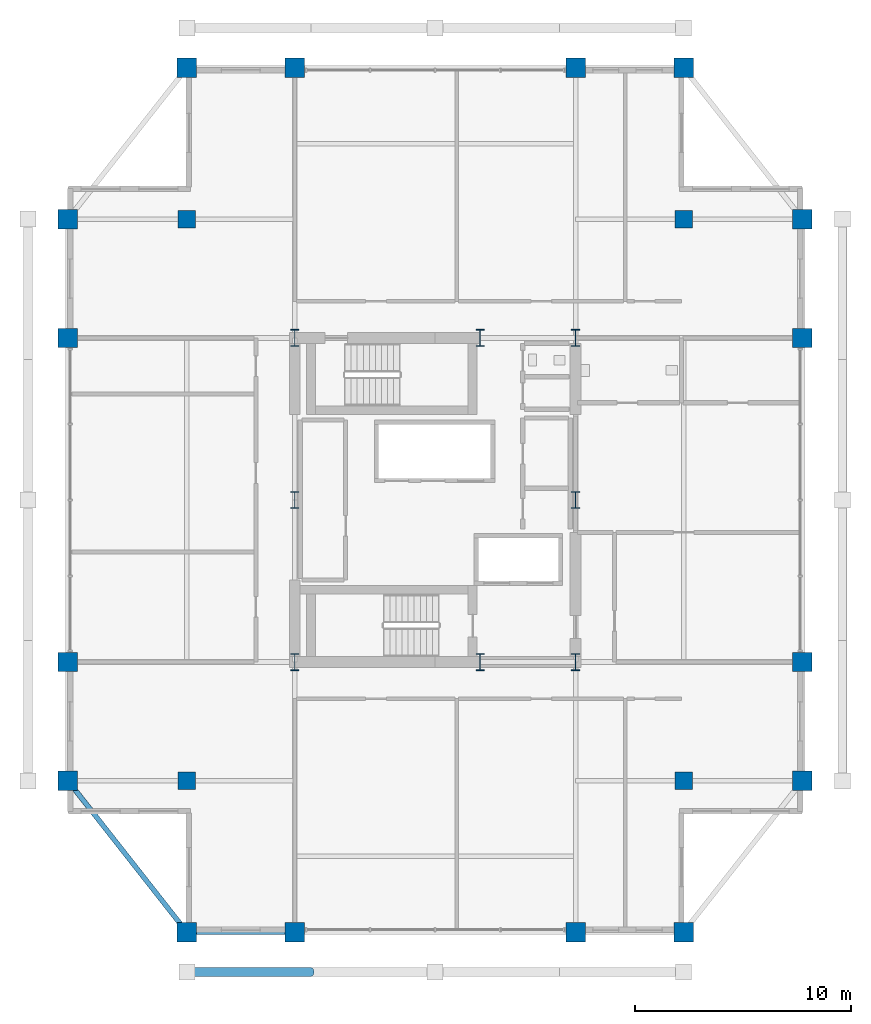
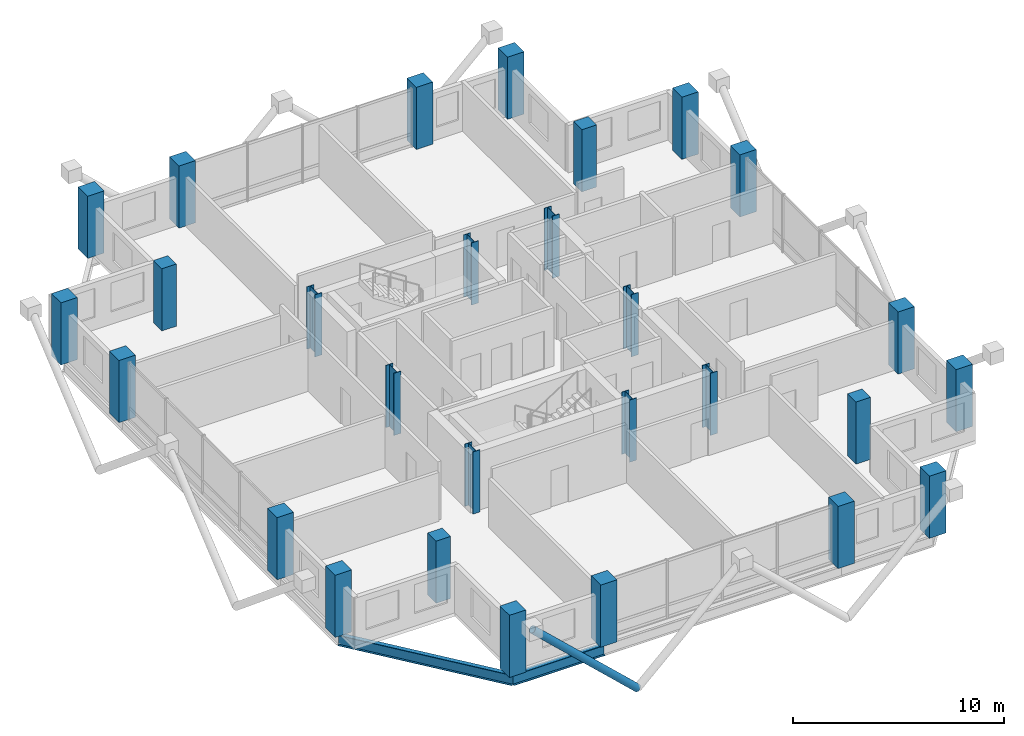
# One storey, part 1 of 22: 28 columns, 2 beams, 1 member.
"""IFC4 building model written with IfcOpenShell, lengths in metres."""

from ifc_helpers import new_model, si_unit, direction, frame, origin, origin_2d, place, context, subcontext, project, spatial, rectangle, hollow_circle, i_section, extrude, material, material_profile, profile_set, type_object, element, save


model = new_model("IFC4")

# Units and contexts
model_context = context("Model", 3, precision=1e-05, world=origin(), true_north=direction((0.0, 1.0)))
body_context = subcontext(model_context, "Body", "Model", "MODEL_VIEW")
ifc_project = project(units=[si_unit("LENGTHUNIT", "METRE"), si_unit("AREAUNIT", "SQUARE_METRE"), si_unit("VOLUMEUNIT", "CUBIC_METRE"), si_unit("PLANEANGLEUNIT", "RADIAN"), si_unit("MASSUNIT", "GRAM", prefix="KILO")], contexts=[model_context])

# Site, building, storey
site_placement = place(None, origin())
site = spatial("IfcSite", under=ifc_project, at=site_placement, CompositionType="ELEMENT")
building_placement = place(site_placement, origin())
building = spatial("IfcBuilding", under=site, at=building_placement, Name="Barlavira Tower and Art Museum", CompositionType="ELEMENT")
storey_placement = place(building_placement, frame((0.0, 0.0, 269.10009765625)))
storey = spatial("IfcBuildingStorey", under=building, at=storey_placement, Name="L70", CompositionType="ELEMENT", Elevation=269.10009765625)

# Columns
ifc_material_1 = material(Name="Steel S355", Category="steel")
ifc_material_profile_1 = material_profile(ifc_material_1, i_section(OverallWidth=0.382080078125, OverallDepth=0.785888671875, WebThickness=0.02001953125, FlangeThickness=0.032958984375, at=origin_2d()), Name="W760x314.0")
ifc_profile_set_1 = profile_set([ifc_material_profile_1], Name="Steel S355")
column_type_1 = type_object("IfcColumnType", Name="Core Composite Column W760x314 Steel S355", PredefinedType="COLUMN", material=ifc_profile_set_1)
for number, where, z_axis, x_axis, name in (
    (1, (-6.5, -7.5, 0.0), (0.0, 0.0, 1.0), (1.0, 0.0, 0.0), "L70 Column CC-L70-C1"),
    (2, (2.080078125, -7.5, 0.0), (0.0, 0.0, 1.0), (1.0, 0.0, 0.0), "L70 Column CC-L70-C2"),
    (3, (6.5, -7.5, 0.0), (0.0, 0.0, 1.0), (1.0, 0.0, 0.0), "L70 Column CC-L70-C3"),
    (4, (-6.5, 0.0, 0.0), (0.0, 0.0, 1.0), (1.0, 0.0, 0.0), "L70 Column CC-L70-C4"),
    (5, (6.5, 0.0, 0.0), (0.0, 0.0, 1.0), (1.0, 0.0, 0.0), "L70 Column CC-L70-C5"),
    (6, (-6.5, 7.5, 0.0), (0.0, 0.0, 1.0), (1.0, 0.0, 0.0), "L70 Column CC-L70-C6"),
    (7, (2.080078125, 7.5, 0.0), (0.0, 0.0, 1.0), (1.0, 0.0, 0.0), "L70 Column CC-L70-C7"),
    (8, (6.5, 7.5, 0.0), (0.0, 0.0, 1.0), (1.0, 0.0, 0.0), "L70 Column CC-L70-C8"),
):
    element("IfcColumn", number, at=place(storey_placement, frame(where, z_axis=z_axis, x_axis=x_axis)), inside=storey, type_object=column_type_1, Name=name, PredefinedType="COLUMN", context=body_context, shape_type="SweptSolid", body=[
        extrude(i_section(OverallWidth=0.382080078125, OverallDepth=0.785888671875, WebThickness=0.02001953125, FlangeThickness=0.032958984375, at=origin_2d()), origin(), (0.0, 0.0, 1.0), 3.599853515625),
    ])
ifc_material_2 = material(Name="Concrete C50", Category="concrete")
ifc_material_profile_2 = material_profile(ifc_material_2, rectangle(XDim=0.89990234375, YDim=0.89990234375, at=origin_2d()), Name="RC-COL 900x900")
ifc_profile_set_2 = profile_set([ifc_material_profile_2], Name="Concrete C50")
column_type_2 = type_object("IfcColumnType", Name="Perimeter Mega Column 900x900 Concrete C50", PredefinedType="USERDEFINED", material=ifc_profile_set_2)
for number, where, z_axis, x_axis, name in (
    (9, (-11.5, -20.0, 0.0), (0.0, 0.0, 1.0), (1.0, 0.0, 0.0), "L70 Column MC-L70-M01"),
    (10, (-6.5, -20.0, 0.0), (0.0, 0.0, 1.0), (1.0, 0.0, 0.0), "L70 Column MC-L70-M02"),
    (11, (6.5, -20.0, 0.0), (0.0, 0.0, 1.0), (1.0, 0.0, 0.0), "L70 Column MC-L70-M03"),
    (12, (11.5, -20.0, 0.0), (0.0, 0.0, 1.0), (1.0, 0.0, 0.0), "L70 Column MC-L70-M04"),
    (13, (17.0, -13.0, 0.0), (0.0, 0.0, 1.0), (1.0, 0.0, 0.0), "L70 Column MC-L70-M05"),
    (14, (17.0, -7.5, 0.0), (0.0, 0.0, 1.0), (1.0, 0.0, 0.0), "L70 Column MC-L70-M06"),
    (15, (17.0, 7.5, 0.0), (0.0, 0.0, 1.0), (1.0, 0.0, 0.0), "L70 Column MC-L70-M07"),
    (16, (17.0, 13.0, 0.0), (0.0, 0.0, 1.0), (1.0, 0.0, 0.0), "L70 Column MC-L70-M08"),
    (17, (11.5, 20.0, 0.0), (0.0, 0.0, 1.0), (1.0, 0.0, 0.0), "L70 Column MC-L70-M09"),
    (18, (6.5, 20.0, 0.0), (0.0, 0.0, 1.0), (1.0, 0.0, 0.0), "L70 Column MC-L70-M10"),
    (19, (-6.5, 20.0, 0.0), (0.0, 0.0, 1.0), (1.0, 0.0, 0.0), "L70 Column MC-L70-M11"),
    (20, (-11.5, 20.0, 0.0), (0.0, 0.0, 1.0), (1.0, 0.0, 0.0), "L70 Column MC-L70-M12"),
    (21, (-17.0, 13.0, 0.0), (0.0, 0.0, 1.0), (1.0, 0.0, 0.0), "L70 Column MC-L70-M13"),
    (22, (-17.0, 7.5, 0.0), (0.0, 0.0, 1.0), (1.0, 0.0, 0.0), "L70 Column MC-L70-M14"),
    (23, (-17.0, -7.5, 0.0), (0.0, 0.0, 1.0), (1.0, 0.0, 0.0), "L70 Column MC-L70-M15"),
    (24, (-17.0, -13.0, 0.0), (0.0, 0.0, 1.0), (1.0, 0.0, 0.0), "L70 Column MC-L70-M16"),
):
    element("IfcColumn", number, at=place(storey_placement, frame(where, z_axis=z_axis, x_axis=x_axis)), inside=storey, type_object=column_type_2, Name=name, ObjectType="MEGA COLUMN", PredefinedType="USERDEFINED", context=body_context, shape_type="SweptSolid", body=[
        extrude(rectangle(XDim=0.89990234375, YDim=0.89990234375, at=origin_2d()), origin(), (0.0, 0.0, 1.0), 3.599853515625),
    ])
ifc_material_profile_3 = material_profile(ifc_material_2, rectangle(XDim=0.800048828125, YDim=0.800048828125, at=origin_2d()), Name="RC-COL 800x800")
ifc_profile_set_3 = profile_set([ifc_material_profile_3], Name="Concrete C50")
column_type_3 = type_object("IfcColumnType", Name="Podium Frame Column 800x800 Concrete C50", PredefinedType="COLUMN", material=ifc_profile_set_3)
for number, where, z_axis, x_axis, name in (
    (25, (-11.5, -13.0, 0.0), (0.0, 0.0, 1.0), (1.0, 0.0, 0.0), "L70 Column CI-L70-I1"),
    (26, (11.5, -13.0, 0.0), (0.0, 0.0, 1.0), (1.0, 0.0, 0.0), "L70 Column CI-L70-I2"),
    (27, (-11.5, 13.0, 0.0), (0.0, 0.0, 1.0), (1.0, 0.0, 0.0), "L70 Column CI-L70-I3"),
    (28, (11.5, 13.0, 0.0), (0.0, 0.0, 1.0), (1.0, 0.0, 0.0), "L70 Column CI-L70-I4"),
):
    element("IfcColumn", number, at=place(storey_placement, frame(where, z_axis=z_axis, x_axis=x_axis)), inside=storey, type_object=column_type_3, Name=name, PredefinedType="COLUMN", context=body_context, shape_type="SweptSolid", body=[
        extrude(rectangle(XDim=0.800048828125, YDim=0.800048828125, at=origin_2d()), origin(), (0.0, 0.0, 1.0), 3.599853515625),
    ])

# Member
ifc_material_profile_4 = material_profile(ifc_material_1, hollow_circle(Radius=0.203125, WallThickness=0.01611328125, at=origin_2d()), Name="CHS 406.4x16.0")
ifc_profile_set_4 = profile_set([ifc_material_profile_4], Name="Steel S355")
member_type = type_object("IfcMemberType", Name="Pale-Metal Exoskeleton Diagrid Tube CHS 406x16 Steel S355", PredefinedType="BRACE", material=ifc_profile_set_4)
member_placement = place(storey_placement, frame((-5.75, -21.85009765625, -1.920166015625), z_axis=(-0.728934650808, 0.0, 0.684583285548), x_axis=(0.0, -1.0, 0.0)))
element("IfcMember", 29, at=member_placement, inside=storey, type_object=member_type, Name="L70 Exoskeleton Diagrid Tube S", PredefinedType="BRACE", context=body_context, shape_type="SweptSolid", body=[
    extrude(hollow_circle(Radius=0.203125, WallThickness=0.01611328125, at=origin_2d()), origin(), (0.0, 0.0, 1.0), 7.88818359375),
])

# Beams
ifc_material_profile_5 = material_profile(ifc_material_1, i_section(OverallWidth=0.22998046875, OverallDepth=0.616943359375, WebThickness=0.01318359375, FlangeThickness=0.022216796875, at=origin_2d()), Name="W610x140.0")
ifc_profile_set_5 = profile_set([ifc_material_profile_5], Name="Steel S355")
beam_type = type_object("IfcBeamType", Name="Upper Shaft Spandrel Edge Beam W610x140 Steel S355", PredefinedType="SPANDREL", material=ifc_profile_set_5)
beam_1_placement = place(storey_placement, frame((-11.5, -20.0, -0.528564453125), z_axis=(1.0, 0.0, 0.0), x_axis=(0.0, 1.0, 0.0)))
element("IfcBeam", 30, at=beam_1_placement, inside=storey, type_object=beam_type, Name="L70 Spandrel 1", PredefinedType="SPANDREL", context=body_context, shape_type="SweptSolid", body=[
    extrude(i_section(OverallWidth=0.22998046875, OverallDepth=0.616943359375, WebThickness=0.01318359375, FlangeThickness=0.022216796875, at=origin_2d()), origin(), (0.0, 0.0, 1.0), 5.0),
])
beam_2_placement = place(storey_placement, frame((-17.0, -13.0, -0.528564453125), z_axis=(0.617821551932, -0.786318338822, 0.0), x_axis=(0.786318338822, 0.617821551932, 0.0)))
element("IfcBeam", 31, at=beam_2_placement, inside=storey, type_object=beam_type, Name="L70 Spandrel 16", PredefinedType="SPANDREL", context=body_context, shape_type="SweptSolid", body=[
    extrude(i_section(OverallWidth=0.22998046875, OverallDepth=0.616943359375, WebThickness=0.01318359375, FlangeThickness=0.022216796875, at=origin_2d()), origin(), (0.0, 0.0, 1.0), 8.90234375),
])

save(model, "model.ifc")
